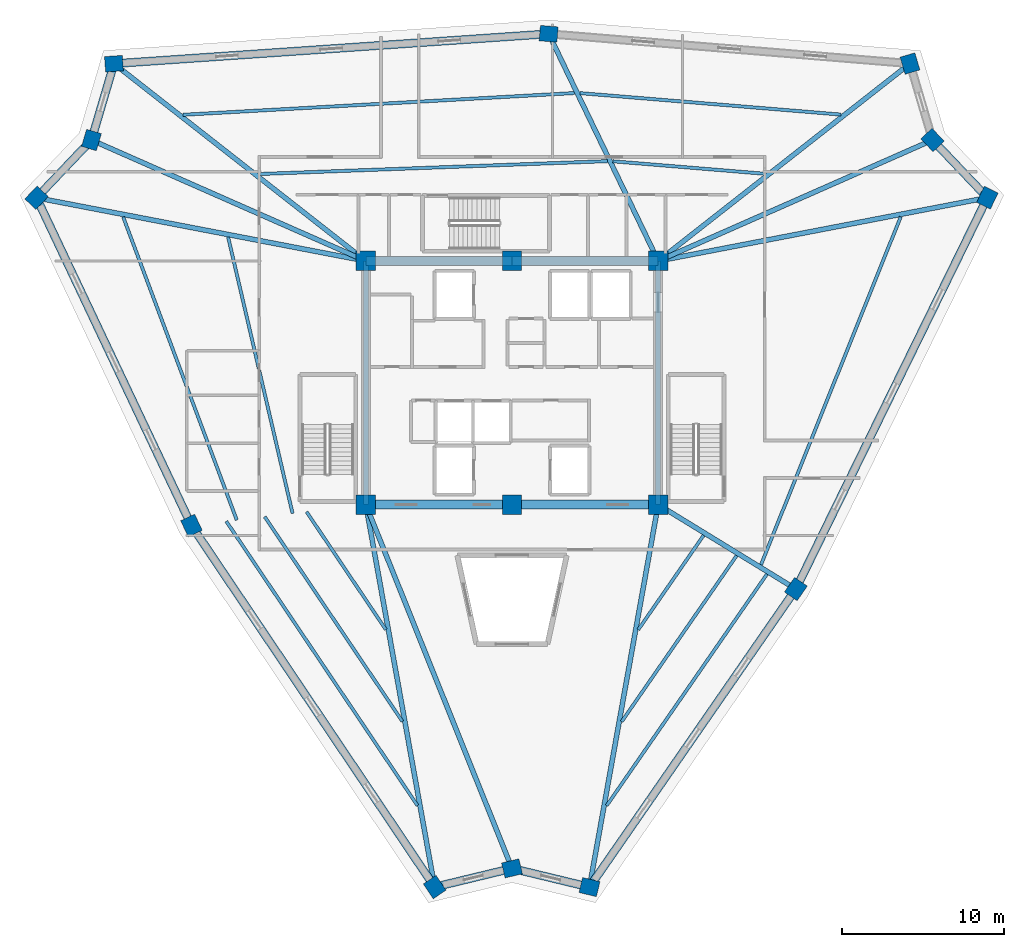
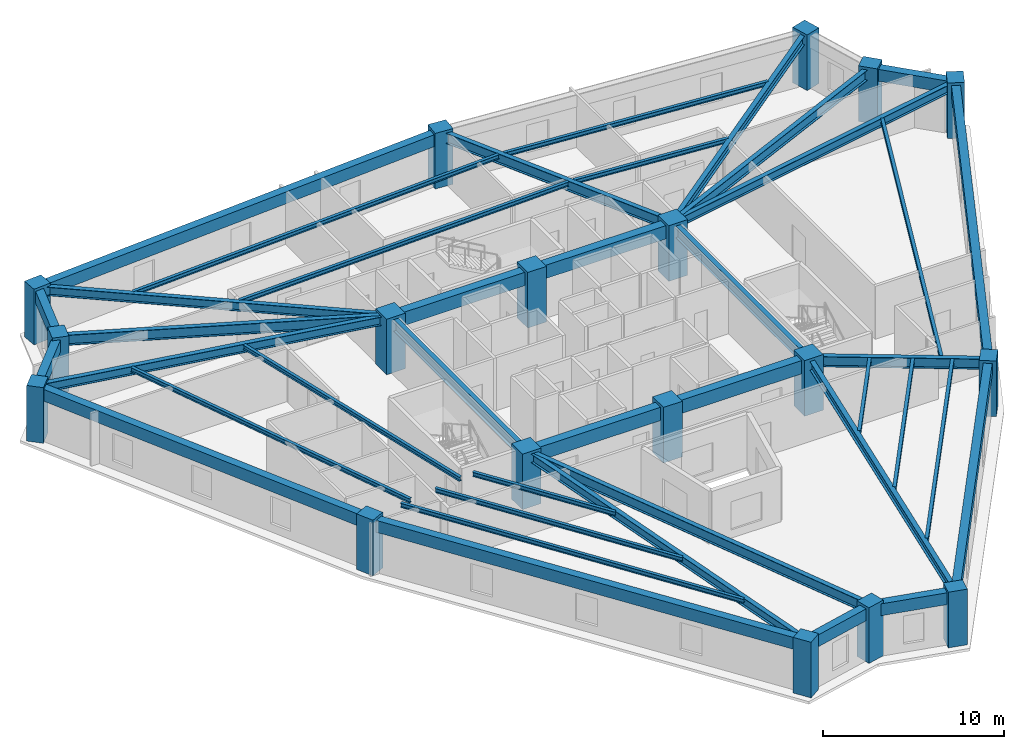
# One storey, part 1 of 8: 40 beams, 18 columns.
"""IFC4 building model written with IfcOpenShell, lengths in metres."""

import ifcopenshell
import ifcopenshell.guid

model = None  # the IFC model being written
_history = None  # IfcOwnerHistory: only IFC2X3 demands one
_inside = {}  # id of a spatial element -> (the spatial element, [elements in it])
_under = {}  # id of a project, library or spatial element -> (it, [spatial elements below it])
_declared = {}  # id of a project -> (the project, [libraries it declares])
_typed = {}  # id of a type object -> (the type object, [elements of that type])
_made_of = {}  # id of a material, layer set ... -> (it, [elements and type objects made of it])


def new_model(schema):
    """Start an empty IFC model of exactly this schema.

    Asked for "IFC4X3", IfcOpenShell would pick the latest addendum, in which some entities
    have other attributes; the version numbers below select the first issue.
    IFC2X3 requires an IfcOwnerHistory on every rooted entity: one is made here for all.
    """
    global model, _history
    if schema == "IFC4X3":
        model = ifcopenshell.file(schema_version=(4, 3, 0, 0))
    else:
        model = ifcopenshell.file(schema=schema)
    _inside.clear()
    _under.clear()
    _declared.clear()
    _typed.clear()
    _made_of.clear()
    _history = None
    if model.schema == "IFC2X3":
        org = make("IfcOrganization", Name="unknown")
        user = make(
            "IfcPersonAndOrganization",
            ThePerson=make("IfcPerson", FamilyName="unknown"),
            TheOrganization=org,
        )
        app = make(
            "IfcApplication",
            ApplicationDeveloper=org,
            Version="unknown",
            ApplicationFullName="unknown",
            ApplicationIdentifier="unknown",
        )
        _history = make(
            "IfcOwnerHistory",
            OwningUser=user,
            OwningApplication=app,
            ChangeAction="ADDED",
            CreationDate=0,
        )
    return model


def make(cls, **values):
    """One entity of the class cls with the attributes given. An attribute that is None is left unset."""
    return model.create_entity(
        cls, **{name: value for name, value in values.items() if value is not None}
    )


def rooted(cls, **values):
    """An entity with a GlobalId (a new one), such as an element, a storey or a relation."""
    return make(cls, GlobalId=ifcopenshell.guid.new(), OwnerHistory=_history, **values)


def si_unit(unit_type, name, prefix=None):
    """IfcSIUnit, for example si_unit("LENGTHUNIT", "METRE", prefix="MILLI")."""
    return make("IfcSIUnit", UnitType=unit_type, Prefix=prefix, Name=name)


def assignment(units):
    """IfcUnitAssignment: the units of a project."""
    return None if units is None else make("IfcUnitAssignment", Units=units)


def point(xyz):
    """IfcCartesianPoint."""
    return None if xyz is None else make("IfcCartesianPoint", Coordinates=xyz)


def direction(xyz):
    """IfcDirection."""
    return None if xyz is None else make("IfcDirection", DirectionRatios=xyz)


def frame(location, z_axis=None, x_axis=None):
    """IfcAxis2Placement3D, a coordinate frame: its origin and axes. An axis left out is left unset."""
    return make(
        "IfcAxis2Placement3D",
        Location=point(location),
        Axis=direction(z_axis),
        RefDirection=direction(x_axis),
    )


def frame_2d(location, x_axis=None):
    """IfcAxis2Placement2D, a coordinate frame in the plane: its origin and x axis."""
    return make(
        "IfcAxis2Placement2D", Location=point(location), RefDirection=direction(x_axis)
    )


def origin():
    """The frame at (0, 0, 0) with its axes left unset."""
    return frame((0.0, 0.0, 0.0))


def origin_2d():
    """The frame at (0, 0) in the plane with its x axis left unset."""
    return frame_2d((0.0, 0.0))


def place(relative_to, where):
    """IfcLocalPlacement: puts the frame where relative to a parent placement (None: the world)."""
    return make(
        "IfcLocalPlacement", PlacementRelTo=relative_to, RelativePlacement=where
    )


def context(
    kind, dimensions, precision=None, world=None, true_north=None, identifier=None
):
    """IfcGeometricRepresentationContext, for example the 3D "Model" context."""
    return make(
        "IfcGeometricRepresentationContext",
        ContextIdentifier=identifier,
        ContextType=kind,
        CoordinateSpaceDimension=dimensions,
        Precision=precision,
        WorldCoordinateSystem=world,
        TrueNorth=true_north,
    )


def subcontext(parent, identifier, kind, view, scale=None):
    """IfcGeometricRepresentationSubContext, for example "Body" below "Model"."""
    return make(
        "IfcGeometricRepresentationSubContext",
        ContextIdentifier=identifier,
        ContextType=kind,
        ParentContext=parent,
        TargetScale=scale,
        TargetView=view,
    )


def project(units=None, contexts=None):
    """IfcProject with its units and contexts."""
    return rooted(
        "IfcProject",
        Name="project",
        RepresentationContexts=contexts,
        UnitsInContext=assignment(units),
    )


def spatial(cls, under=None, at=None, **own):
    """A site, building, storey or space (cls), placed at a placement, below another one or the project."""
    s = rooted(cls, ObjectPlacement=at, **own)
    if under is not None:
        _under.setdefault(under.id(), (under, []))[1].append(s)
    return s


def profile(cls, at=None, kind="AREA", **sizes):
    """A parametric profile (cls). Its sizes go by their IFC names, for example OverallWidth=200.0."""
    return make(cls, ProfileType=kind, Position=at, **sizes)


def rectangle(**sizes):
    """IfcRectangleProfileDef."""
    return profile("IfcRectangleProfileDef", **sizes)


def i_section(**sizes):
    """IfcIShapeProfileDef."""
    return profile("IfcIShapeProfileDef", **sizes)


def extrude(swept, where, along, depth):
    """IfcExtrudedAreaSolid: the profile swept, set in the frame where, extruded along a direction by depth."""
    return make(
        "IfcExtrudedAreaSolid",
        SweptArea=swept,
        Position=where,
        ExtrudedDirection=direction(along),
        Depth=depth,
    )


def shape(context_of_items, identifier, shape_type, items):
    """IfcShapeRepresentation: the items that make up one representation, for example the "Body"."""
    return make(
        "IfcShapeRepresentation",
        ContextOfItems=context_of_items,
        RepresentationIdentifier=identifier,
        RepresentationType=shape_type,
        Items=items,
    )


def source(mapping_origin, context_of_items, identifier, shape_type, items):
    """IfcRepresentationMap: a shape defined once, which mapped items show again and again."""
    return make(
        "IfcRepresentationMap",
        MappingOrigin=mapping_origin,
        MappedRepresentation=shape(context_of_items, identifier, shape_type, items),
    )


def transform(
    local_origin,
    x_axis=None,
    y_axis=None,
    z_axis=None,
    scale=None,
    scale2=None,
    scale3=None,
    uniform=True,
):
    """IfcCartesianTransformationOperator3D, or its non-uniform kind. x_axis, y_axis, z_axis: its Axis1, 2, 3."""
    if uniform:
        return make(
            "IfcCartesianTransformationOperator3D",
            Axis1=direction(x_axis),
            Axis2=direction(y_axis),
            LocalOrigin=point(local_origin),
            Scale=scale,
            Axis3=direction(z_axis),
        )
    return make(
        "IfcCartesianTransformationOperator3DnonUniform",
        Axis1=direction(x_axis),
        Axis2=direction(y_axis),
        LocalOrigin=point(local_origin),
        Scale=scale,
        Axis3=direction(z_axis),
        Scale2=scale2,
        Scale3=scale3,
    )


def mapped(mapping_source, mapping_target):
    """IfcMappedItem: shows the shape of a source again, moved by a transform."""
    return make(
        "IfcMappedItem", MappingSource=mapping_source, MappingTarget=mapping_target
    )


def material(Name=None, Category=None):
    """IfcMaterial."""
    return make("IfcMaterial", Name=Name, Category=Category)


def material_profile(
    of_material, cross_section, Name=None, Category=None, Priority=None
):
    """IfcMaterialProfile: a cross section and its material."""
    return make(
        "IfcMaterialProfile",
        Name=Name,
        Material=of_material,
        Profile=cross_section,
        Priority=Priority,
        Category=Category,
    )


def profile_set(profiles, Name=None, composite=None):
    """IfcMaterialProfileSet."""
    return make(
        "IfcMaterialProfileSet",
        Name=Name,
        MaterialProfiles=profiles,
        CompositeProfile=composite,
    )


def made_of(thing, what):
    """Note that an element or type object is made of a material, layer set ...; save() writes the relation."""
    if what is not None:
        _made_of.setdefault(what.id(), (what, []))[1].append(thing)
    return thing


def type_object(cls, material=None, **own):
    """A type object (cls), such as IfcWallType, which elements share."""
    return made_of(rooted(cls, **own), material)


def element(
    cls,
    number,
    at=None,
    inside=None,
    cuts=None,
    type_object=None,
    material=None,
    context=None,
    identifier="Body",
    shape_type=None,
    held_by="IfcProductDefinitionShape",
    body=None,
    shapes=None,
    **own,
):
    """One element of the class cls, such as IfcWall. Its Tag is "e" and its number.

    at: its placement. inside: the storey or other place that contains it. cuts: it is an
    opening in that element (IfcRelVoidsElement). A single representation is given by context,
    identifier, shape_type and body (its items); several are given by shapes. held_by: the class
    of the entity that holds the representations. save() writes the other relations.
    """
    e = rooted(cls, Tag="e%d" % number, ObjectPlacement=at, **own)
    if body is not None:
        shapes = [shape(context, identifier, shape_type, body)]
    if shapes is not None:
        e.Representation = make(held_by, Representations=shapes)
    if inside is not None:
        _inside.setdefault(inside.id(), (inside, []))[1].append(e)
    if cuts is not None:
        rooted(
            "IfcRelVoidsElement", RelatingBuildingElement=cuts, RelatedOpeningElement=e
        )
    if type_object is not None:
        _typed.setdefault(type_object.id(), (type_object, []))[1].append(e)
    return made_of(e, material)


def aggregate(whole, parts):
    """IfcRelAggregates: a whole, such as a stair, and the parts it consists of."""
    return rooted("IfcRelAggregates", RelatingObject=whole, RelatedObjects=parts)


def save(model, path):
    """Write the relations noted so far, then the file.

    IfcRelAggregates (storeys below a building ...), IfcRelContainedInSpatialStructure (elements
    in a storey), IfcRelDefinesByType, IfcRelAssociatesMaterial and IfcRelDeclares: one each for
    every whole, place, type object, material and project.
    """
    for whole, parts in _under.values():
        aggregate(whole, parts)
    for where, things in _inside.values():
        rooted(
            "IfcRelContainedInSpatialStructure",
            RelatedElements=things,
            RelatingStructure=where,
        )
    for kind, things in _typed.values():
        rooted("IfcRelDefinesByType", RelatedObjects=things, RelatingType=kind)
    for what, things in _made_of.values():
        rooted("IfcRelAssociatesMaterial", RelatedObjects=things, RelatingMaterial=what)
    for by, libraries in _declared.values():
        rooted("IfcRelDeclares", RelatingContext=by, RelatedDefinitions=libraries)
    model.write(path)


model = new_model("IFC4")

# Units and contexts
model_context = context("Model", 3, precision=1e-05, world=origin(), true_north=direction((0.0, 1.0)))
body_context = subcontext(model_context, "Body", "Model", "MODEL_VIEW")
ifc_project = project(units=[si_unit("LENGTHUNIT", "METRE"), si_unit("AREAUNIT", "SQUARE_METRE"), si_unit("VOLUMEUNIT", "CUBIC_METRE"), si_unit("PLANEANGLEUNIT", "RADIAN"), si_unit("MASSUNIT", "GRAM", prefix="KILO")], contexts=[model_context])

# Site, building, storey
site_placement = place(None, origin())
site = spatial("IfcSite", under=ifc_project, at=site_placement, CompositionType="ELEMENT")
building_placement = place(site_placement, origin())
building = spatial("IfcBuilding", under=site, at=building_placement, Name="Liaohun Quay Tower", CompositionType="ELEMENT")
storey_placement = place(building_placement, frame((0.0, 0.0, 332.25)))
storey = spatial("IfcBuildingStorey", under=building, at=storey_placement, Name="L86", CompositionType="ELEMENT", Elevation=332.25)

# Columns
ifc_material_1 = material(Name="Concrete C50", Category="concrete")
ifc_material_profile_1 = material_profile(ifc_material_1, rectangle(XDim=1.199951171875, YDim=1.199951171875, at=origin_2d()), Name="RC1200x1200")
ifc_profile_set_1 = profile_set([ifc_material_profile_1], Name="Concrete C50")
column_type_1 = type_object("IfcColumnType", Name="COL-CC-Z4", PredefinedType="COLUMN", material=ifc_profile_set_1)
shared_shape_1 = source(origin(), body_context, "Body", "SweptSolid", [
    extrude(rectangle(XDim=1.199951171875, YDim=1.199951171875, at=origin_2d()), origin(), (0.0, 0.0, 1.0), 3.75),
])
for number, where, z_axis, x_axis, name in (
    (1, (51.0, 46.5, 0.0), (0.0, 0.0, 1.0), (1.0, 0.0, 0.0), "L86 Core Column CC1"),
    (2, (60.0, 46.5, 0.0), (0.0, 0.0, 1.0), (1.0, 0.0, 0.0), "L86 Core Column CC2"),
    (3, (69.0, 46.5, 0.0), (0.0, 0.0, 1.0), (1.0, 0.0, 0.0), "L86 Core Column CC3"),
    (4, (69.0, 61.5, 0.0), (0.0, 0.0, 1.0), (1.0, 0.0, 0.0), "L86 Core Column CC4"),
    (5, (60.0, 61.5, 0.0), (0.0, 0.0, 1.0), (1.0, 0.0, 0.0), "L86 Core Column CC5"),
    (6, (51.0, 61.5, 0.0), (0.0, 0.0, 1.0), (1.0, 0.0, 0.0), "L86 Core Column CC6"),
):
    element("IfcColumn", number, at=place(storey_placement, frame(where, z_axis=z_axis, x_axis=x_axis)), inside=storey, type_object=column_type_1, Name=name, PredefinedType="COLUMN", context=body_context, shape_type="MappedRepresentation", body=[
        mapped(shared_shape_1, transform((0.0, 0.0, 0.0), x_axis=(1.0, 0.0, 0.0), y_axis=(0.0, 1.0, 0.0), z_axis=(0.0, 0.0, 1.0), scale=1.0)),
    ])
ifc_material_profile_2 = material_profile(ifc_material_1, rectangle(XDim=1.10009765625, YDim=0.949951171875, at=origin_2d()), Name="RC1100x950")
ifc_profile_set_2 = profile_set([ifc_material_profile_2], Name="Concrete C50")
column_type_2 = type_object("IfcColumnType", Name="COL-PIER-Z4", PredefinedType="COLUMN", material=ifc_profile_set_2)
shared_shape_2 = source(origin(), body_context, "Body", "SweptSolid", [
    extrude(rectangle(XDim=1.10009765625, YDim=0.949951171875, at=origin_2d()), origin(), (0.0, 0.0, 1.0), 3.75),
])
for number, where, z_axis, x_axis, name in (
    (7, (55.238037109375, 22.9541015625, 0.0), (0.0, 0.0, 1.0), (-0.558179625922, 0.829720136676, 0.0), "L86 Perimeter Pier PC01"),
    (8, (40.264892578125, 45.212890625, 0.0), (0.0, 0.0, 1.0), (-0.427357863387, 0.904082549661, 0.0), "L86 Perimeter Pier PC02"),
    (9, (30.72705078125, 65.39306640625, 0.0), (0.0, 0.0, 1.0), (0.68936671806, 0.724412539946, 0.0), "L86 Perimeter Pier PC03"),
    (10, (34.10888671875, 68.947998046875, 0.0), (0.0, 0.0, 1.0), (0.282676303383, 0.959215360337, 0.0), "L86 Perimeter Pier PC04"),
    (11, (35.493896484375, 73.64697265625, 0.0), (0.0, 0.0, 1.0), (0.997648529354, 0.068537667585, 0.0), "L86 Perimeter Pier PC05"),
    (12, (62.258056640625, 75.485107421875, 0.0), (0.0, 0.0, 1.0), (-0.996637386818, 0.08193850863, 0.0), "L86 Perimeter Pier PC06"),
    (13, (84.5029296875, 73.655029296875, 0.0), (0.0, 0.0, 1.0), (-0.282676303383, 0.959215360337, 0.0), "L86 Perimeter Pier PC07"),
    (14, (85.89111328125, 68.947998046875, 0.0), (0.0, 0.0, 1.0), (-0.68936671806, 0.724412539946, 0.0), "L86 Perimeter Pier PC08"),
    (15, (89.26806640625, 65.39892578125, 0.0), (0.0, 0.0, 1.0), (0.439468903432, 0.898257804261, 0.0), "L86 Perimeter Pier PC09"),
    (16, (77.47705078125, 41.302001953125, 0.0), (0.0, 0.0, 1.0), (0.569279523431, 0.822144041031, 0.0), "L86 Perimeter Pier PC10"),
    (17, (64.77001953125, 22.951904296875, 0.0), (0.0, 0.0, 1.0), (-0.972043021443, 0.234802820391, 0.0), "L86 Perimeter Pier PC11"),
    (18, (60.0, 24.10400390625, 0.0), (0.0, 0.0, 1.0), (0.972043021443, 0.234802820391, 0.0), "L86 Perimeter Pier PC12"),
):
    element("IfcColumn", number, at=place(storey_placement, frame(where, z_axis=z_axis, x_axis=x_axis)), inside=storey, type_object=column_type_2, Name=name, PredefinedType="COLUMN", context=body_context, shape_type="MappedRepresentation", body=[
        mapped(shared_shape_2, transform((0.0, 0.0, 0.0), x_axis=(1.0, 0.0, 0.0), y_axis=(0.0, 1.0, 0.0), z_axis=(0.0, 0.0, 1.0), scale=1.0)),
    ])

# Beams
ifc_material_2 = material(Name="Steel Q355D", Category="steel")
ifc_material_profile_3 = material_profile(ifc_material_2, i_section(OverallWidth=0.300048828125, OverallDepth=0.800048828125, WebThickness=0.013916015625, FlangeThickness=0.02587890625, at=origin_2d()), Name="HN800x300x14x26")
ifc_profile_set_3 = profile_set([ifc_material_profile_3], Name="Steel Q355D")
beam_type_1 = type_object("IfcBeamType", Name="BM-RAD-M1", PredefinedType="BEAM", material=ifc_profile_set_3)
shared_shape_3 = source(origin(), body_context, "Body", "SweptSolid", [
    extrude(i_section(OverallWidth=0.300048828125, OverallDepth=0.800048828125, WebThickness=0.013916015625, FlangeThickness=0.02587890625, at=origin_2d()), origin(), (0.0, 0.0, 1.0), 15.0),
])
for number, where, z_axis, x_axis, name in (
    (19, (69.0, 46.5, 3.169921875), (0.0, 1.0, 0.0), (-1.0, 0.0, 0.0), "L86 Core Coupling/Ring Beam CC3-CC4"),
    (20, (51.0, 61.5, 3.169921875), (0.0, -1.0, 0.0), (1.0, 0.0, 0.0), "L86 Core Coupling/Ring Beam CC6-CC1"),
):
    element("IfcBeam", number, at=place(storey_placement, frame(where, z_axis=z_axis, x_axis=x_axis)), inside=storey, type_object=beam_type_1, Name=name, PredefinedType="BEAM", context=body_context, shape_type="MappedRepresentation", body=[
        mapped(shared_shape_3, transform((0.0, 0.0, 0.0), x_axis=(1.0, 0.0, 0.0), y_axis=(0.0, 1.0, 0.0), z_axis=(0.0, 0.0, 1.0), scale=1.0)),
    ])
ifc_material_3 = material(Name="Concrete C55", Category="concrete")
ifc_material_profile_4 = material_profile(ifc_material_3, rectangle(XDim=0.550048828125, YDim=0.89990234375, at=origin_2d()), Name="RC550x900")
ifc_profile_set_4 = profile_set([ifc_material_profile_4], Name="Concrete C55")
beam_type_2 = type_object("IfcBeamType", Name="BM-CPL-2", PredefinedType="LINTEL", material=ifc_profile_set_4)
shared_shape_4 = source(origin(), body_context, "Body", "SweptSolid", [
    extrude(rectangle(XDim=0.550048828125, YDim=0.89990234375, at=origin_2d()), origin(), (0.0, 0.0, 1.0), 9.0),
])
for number, where, z_axis, x_axis, name in (
    (21, (51.0, 46.5, 3.1201171875), (1.0, 0.0, 0.0), (0.0, 1.0, 0.0), "L86 Core Coupling/Ring Beam CC1-CC2"),
    (22, (60.0, 46.5, 3.1201171875), (1.0, 0.0, 0.0), (0.0, 1.0, 0.0), "L86 Core Coupling/Ring Beam CC2-CC3"),
    (23, (69.0, 61.5, 3.1201171875), (-1.0, 0.0, 0.0), (0.0, -1.0, 0.0), "L86 Core Coupling/Ring Beam CC4-CC5"),
    (24, (60.0, 61.5, 3.1201171875), (-1.0, 0.0, 0.0), (0.0, -1.0, 0.0), "L86 Core Coupling/Ring Beam CC5-CC6"),
):
    element("IfcBeam", number, at=place(storey_placement, frame(where, z_axis=z_axis, x_axis=x_axis)), inside=storey, type_object=beam_type_2, Name=name, PredefinedType="LINTEL", context=body_context, shape_type="MappedRepresentation", body=[
        mapped(shared_shape_4, transform((0.0, 0.0, 0.0), x_axis=(1.0, 0.0, 0.0), y_axis=(0.0, 1.0, 0.0), z_axis=(0.0, 0.0, 1.0), scale=1.0)),
    ])
ifc_material_profile_5 = material_profile(ifc_material_2, i_section(OverallWidth=0.300048828125, OverallDepth=0.587890625, WebThickness=0.011962890625, FlangeThickness=0.02001953125, at=origin_2d()), Name="HM588x300x12x20")
ifc_profile_set_5 = profile_set([ifc_material_profile_5], Name="Steel Q355D")
beam_type_3 = type_object("IfcBeamType", Name="BM-RAD-U2", PredefinedType="BEAM", material=ifc_profile_set_5)
shared_shape_5 = source(origin(), body_context, "Body", "SweptSolid", [
    extrude(i_section(OverallWidth=0.300048828125, OverallDepth=0.587890625, WebThickness=0.011962890625, FlangeThickness=0.02001953125, at=origin_2d()), origin(), (0.0, 0.0, 1.0), 23.92431640625),
])
beam_1_placement = place(storey_placement, frame((51.0, 46.5, 3.27587890625), z_axis=(0.177143904593, -0.9841849608, 0.0), x_axis=(0.9841849608, 0.177143904593, 0.0)))
element("IfcBeam", 25, at=beam_1_placement, inside=storey, type_object=beam_type_3, Name="L86 Radial Primary Girder CC1-PC01", PredefinedType="BEAM", context=body_context, shape_type="MappedRepresentation", body=[
    mapped(shared_shape_5, transform((0.0, 0.0, 0.0), x_axis=(1.0, 0.0, 0.0), y_axis=(0.0, 1.0, 0.0), z_axis=(0.0, 0.0, 1.0), scale=1.0)),
])
shared_shape_6 = source(origin(), body_context, "Body", "SweptSolid", [
    extrude(i_section(OverallWidth=0.300048828125, OverallDepth=0.587890625, WebThickness=0.011962890625, FlangeThickness=0.02001953125, at=origin_2d()), origin(), (0.0, 0.0, 1.0), 20.643310546875),
])
beam_2_placement = place(storey_placement, frame((51.0, 61.5, 3.27587890625), z_axis=(-0.982056519371, 0.188586830823, 0.0), x_axis=(-0.188586830823, -0.982056519371, 0.0)))
element("IfcBeam", 26, at=beam_2_placement, inside=storey, type_object=beam_type_3, Name="L86 Radial Primary Girder CC6-PC03", PredefinedType="BEAM", context=body_context, shape_type="MappedRepresentation", body=[
    mapped(shared_shape_6, transform((0.0, 0.0, 0.0), x_axis=(1.0, 0.0, 0.0), y_axis=(0.0, 1.0, 0.0), z_axis=(0.0, 0.0, 1.0), scale=1.0)),
])
ifc_material_profile_6 = material_profile(ifc_material_2, i_section(OverallWidth=0.300048828125, OverallDepth=0.699951171875, WebThickness=0.012939453125, FlangeThickness=0.02392578125, at=origin_2d()), Name="HN700x300x13x24")
ifc_profile_set_6 = profile_set([ifc_material_profile_6], Name="Steel Q355D")
beam_type_4 = type_object("IfcBeamType", Name="BM-RAD-U1", PredefinedType="BEAM", material=ifc_profile_set_6)
shared_shape_7 = source(origin(), body_context, "Body", "SweptSolid", [
    extrude(i_section(OverallWidth=0.300048828125, OverallDepth=0.699951171875, WebThickness=0.012939453125, FlangeThickness=0.02392578125, at=origin_2d()), origin(), (0.0, 0.0, 1.0), 18.460205078125),
])
for number, where, z_axis, x_axis, name in (
    (27, (51.0, 61.5, 3.219970703125), (-0.91499707752, 0.403460466625, 0.0), (-0.403460466625, -0.91499707752, 0.0), "L86 Radial Primary Girder CC6-PC04"),
    (28, (69.0, 61.5, 3.219970703125), (0.91499707752, 0.403460466625, 0.0), (-0.403460466625, 0.91499707752, 0.0), "L86 Radial Primary Girder CC4-PC08"),
):
    element("IfcBeam", number, at=place(storey_placement, frame(where, z_axis=z_axis, x_axis=x_axis)), inside=storey, type_object=beam_type_4, Name=name, PredefinedType="BEAM", context=body_context, shape_type="MappedRepresentation", body=[
        mapped(shared_shape_7, transform((0.0, 0.0, 0.0), x_axis=(1.0, 0.0, 0.0), y_axis=(0.0, 1.0, 0.0), z_axis=(0.0, 0.0, 1.0), scale=1.0)),
    ])
shared_shape_8 = source(origin(), body_context, "Body", "SweptSolid", [
    extrude(i_section(OverallWidth=0.300048828125, OverallDepth=0.587890625, WebThickness=0.011962890625, FlangeThickness=0.02001953125, at=origin_2d()), origin(), (0.0, 0.0, 1.0), 19.697509765625),
])
beam_3_placement = place(storey_placement, frame((51.0, 61.5, 3.27587890625), z_axis=(-0.78721511685, 0.616678489817, 0.0), x_axis=(-0.616678489817, -0.78721511685, 0.0)))
element("IfcBeam", 29, at=beam_3_placement, inside=storey, type_object=beam_type_3, Name="L86 Radial Primary Girder CC6-PC05", PredefinedType="BEAM", context=body_context, shape_type="MappedRepresentation", body=[
    mapped(shared_shape_8, transform((0.0, 0.0, 0.0), x_axis=(1.0, 0.0, 0.0), y_axis=(0.0, 1.0, 0.0), z_axis=(0.0, 0.0, 1.0), scale=1.0)),
])
shared_shape_9 = source(origin(), body_context, "Body", "SweptSolid", [
    extrude(i_section(OverallWidth=0.300048828125, OverallDepth=0.699951171875, WebThickness=0.012939453125, FlangeThickness=0.02392578125, at=origin_2d()), origin(), (0.0, 0.0, 1.0), 15.525390625),
])
beam_4_placement = place(storey_placement, frame((69.0, 61.5, 3.219970703125), z_axis=(-0.43425338855, 0.900790760684, 0.0), x_axis=(-0.900790760684, -0.43425338855, 0.0)))
element("IfcBeam", 30, at=beam_4_placement, inside=storey, type_object=beam_type_4, Name="L86 Radial Primary Girder CC4-PC06", PredefinedType="BEAM", context=body_context, shape_type="MappedRepresentation", body=[
    mapped(shared_shape_9, transform((0.0, 0.0, 0.0), x_axis=(1.0, 0.0, 0.0), y_axis=(0.0, 1.0, 0.0), z_axis=(0.0, 0.0, 1.0), scale=1.0)),
])
shared_shape_10 = source(origin(), body_context, "Body", "SweptSolid", [
    extrude(i_section(OverallWidth=0.300048828125, OverallDepth=0.587890625, WebThickness=0.011962890625, FlangeThickness=0.02001953125, at=origin_2d()), origin(), (0.0, 0.0, 1.0), 19.699951171875),
])
beam_5_placement = place(storey_placement, frame((69.0, 61.5, 3.27587890625), z_axis=(0.786955241021, 0.617010087948, 0.0), x_axis=(-0.617010087948, 0.786955241021, 0.0)))
element("IfcBeam", 31, at=beam_5_placement, inside=storey, type_object=beam_type_3, Name="L86 Radial Primary Girder CC4-PC07", PredefinedType="BEAM", context=body_context, shape_type="MappedRepresentation", body=[
    mapped(shared_shape_10, transform((0.0, 0.0, 0.0), x_axis=(1.0, 0.0, 0.0), y_axis=(0.0, 1.0, 0.0), z_axis=(0.0, 0.0, 1.0), scale=1.0)),
])
shared_shape_11 = source(origin(), body_context, "Body", "SweptSolid", [
    extrude(i_section(OverallWidth=0.300048828125, OverallDepth=0.587890625, WebThickness=0.011962890625, FlangeThickness=0.02001953125, at=origin_2d()), origin(), (0.0, 0.0, 1.0), 20.6396484375),
])
beam_6_placement = place(storey_placement, frame((69.0, 61.5, 3.27587890625), z_axis=(0.981995477195, 0.188904427604, 0.0), x_axis=(-0.188904427604, 0.981995477195, 0.0)))
element("IfcBeam", 32, at=beam_6_placement, inside=storey, type_object=beam_type_3, Name="L86 Radial Primary Girder CC4-PC09", PredefinedType="BEAM", context=body_context, shape_type="MappedRepresentation", body=[
    mapped(shared_shape_11, transform((0.0, 0.0, 0.0), x_axis=(1.0, 0.0, 0.0), y_axis=(0.0, 1.0, 0.0), z_axis=(0.0, 0.0, 1.0), scale=1.0)),
])
shared_shape_12 = source(origin(), body_context, "Body", "SweptSolid", [
    extrude(i_section(OverallWidth=0.300048828125, OverallDepth=0.699951171875, WebThickness=0.012939453125, FlangeThickness=0.02392578125, at=origin_2d()), origin(), (0.0, 0.0, 1.0), 9.94384765625),
])
beam_7_placement = place(storey_placement, frame((69.0, 46.5, 3.219970703125), z_axis=(0.852494316391, -0.522736492433, 0.0), x_axis=(0.522736492433, 0.852494316391, 0.0)))
element("IfcBeam", 33, at=beam_7_placement, inside=storey, type_object=beam_type_4, Name="L86 Radial Primary Girder CC3-PC10", PredefinedType="BEAM", context=body_context, shape_type="MappedRepresentation", body=[
    mapped(shared_shape_12, transform((0.0, 0.0, 0.0), x_axis=(1.0, 0.0, 0.0), y_axis=(0.0, 1.0, 0.0), z_axis=(0.0, 0.0, 1.0), scale=1.0)),
])
shared_shape_13 = source(origin(), body_context, "Body", "SweptSolid", [
    extrude(i_section(OverallWidth=0.300048828125, OverallDepth=0.587890625, WebThickness=0.011962890625, FlangeThickness=0.02001953125, at=origin_2d()), origin(), (0.0, 0.0, 1.0), 23.925048828125),
])
beam_8_placement = place(storey_placement, frame((69.0, 46.5, 3.27587890625), z_axis=(-0.176801703683, -0.984246492285, 0.0), x_axis=(0.984246492285, -0.176801703683, 0.0)))
element("IfcBeam", 34, at=beam_8_placement, inside=storey, type_object=beam_type_3, Name="L86 Radial Primary Girder CC3-PC11", PredefinedType="BEAM", context=body_context, shape_type="MappedRepresentation", body=[
    mapped(shared_shape_13, transform((0.0, 0.0, 0.0), x_axis=(1.0, 0.0, 0.0), y_axis=(0.0, 1.0, 0.0), z_axis=(0.0, 0.0, 1.0), scale=1.0)),
])
shared_shape_14 = source(origin(), body_context, "Body", "SweptSolid", [
    extrude(i_section(OverallWidth=0.300048828125, OverallDepth=0.699951171875, WebThickness=0.012939453125, FlangeThickness=0.02392578125, at=origin_2d()), origin(), (0.0, 0.0, 1.0), 24.13671875),
])
beam_9_placement = place(storey_placement, frame((51.0, 46.5, 3.219970703125), z_axis=(0.372876046209, -0.927881163816, 0.0), x_axis=(0.927881163816, 0.372876046209, 0.0)))
element("IfcBeam", 35, at=beam_9_placement, inside=storey, type_object=beam_type_4, Name="L86 Radial Primary Girder CC1-PC12", PredefinedType="BEAM", context=body_context, shape_type="MappedRepresentation", body=[
    mapped(shared_shape_14, transform((0.0, 0.0, 0.0), x_axis=(1.0, 0.0, 0.0), y_axis=(0.0, 1.0, 0.0), z_axis=(0.0, 0.0, 1.0), scale=1.0)),
])
ifc_material_profile_7 = material_profile(ifc_material_2, i_section(OverallWidth=0.199951171875, OverallDepth=0.2939453125, WebThickness=0.008056640625, FlangeThickness=0.011962890625, at=origin_2d()), Name="HM294x200x8x12")
ifc_profile_set_7 = profile_set([ifc_material_profile_7], Name="Steel Q355D")
beam_type_5 = type_object("IfcBeamType", Name="BM-SEC-J4", PredefinedType="JOIST", material=ifc_profile_set_7)
shared_shape_15 = source(origin(), body_context, "Body", "SweptSolid", [
    extrude(i_section(OverallWidth=0.199951171875, OverallDepth=0.2939453125, WebThickness=0.008056640625, FlangeThickness=0.011962890625, at=origin_2d()), origin(), (0.0, 0.0, 1.0), 8.74755859375),
])
beam_10_placement = place(storey_placement, frame((52.23291015625, 38.803955078125, 3.423095703125), z_axis=(-0.558186124533, 0.829715764813, 0.0), x_axis=(-0.829715764813, -0.558186124533, 0.0)))
element("IfcBeam", 36, at=beam_10_placement, inside=storey, type_object=beam_type_5, Name="L86 Wing Secondary Floor Joist SJ-01", PredefinedType="JOIST", context=body_context, shape_type="MappedRepresentation", body=[
    mapped(shared_shape_15, transform((0.0, 0.0, 0.0), x_axis=(1.0, 0.0, 0.0), y_axis=(0.0, 1.0, 0.0), z_axis=(0.0, 0.0, 1.0), scale=1.0)),
])
shared_shape_16 = source(origin(), body_context, "Body", "SweptSolid", [
    extrude(i_section(OverallWidth=0.199951171875, OverallDepth=0.2939453125, WebThickness=0.008056640625, FlangeThickness=0.011962890625, at=origin_2d()), origin(), (0.0, 0.0, 1.0), 15.186279296875),
])
beam_11_placement = place(storey_placement, frame((53.25, 33.153076171875, 3.423095703125), z_axis=(-0.558138257053, 0.829747965357, 0.0), x_axis=(-0.829747965357, -0.558138257053, 0.0)))
element("IfcBeam", 37, at=beam_11_placement, inside=storey, type_object=beam_type_5, Name="L86 Wing Secondary Floor Joist SJ-02", PredefinedType="JOIST", context=body_context, shape_type="MappedRepresentation", body=[
    mapped(shared_shape_16, transform((0.0, 0.0, 0.0), x_axis=(1.0, 0.0, 0.0), y_axis=(0.0, 1.0, 0.0), z_axis=(0.0, 0.0, 1.0), scale=1.0)),
])
shared_shape_17 = source(origin(), body_context, "Body", "SweptSolid", [
    extrude(i_section(OverallWidth=0.199951171875, OverallDepth=0.2939453125, WebThickness=0.008056640625, FlangeThickness=0.011962890625, at=origin_2d()), origin(), (0.0, 0.0, 1.0), 21.08740234375),
])
beam_12_placement = place(storey_placement, frame((54.181884765625, 27.972900390625, 3.423095703125), z_axis=(-0.558144665099, 0.829743654885, 0.0), x_axis=(-0.829743654885, -0.558144665099, 0.0)))
element("IfcBeam", 38, at=beam_12_placement, inside=storey, type_object=beam_type_5, Name="L86 Wing Secondary Floor Joist SJ-03", PredefinedType="JOIST", context=body_context, shape_type="MappedRepresentation", body=[
    mapped(shared_shape_17, transform((0.0, 0.0, 0.0), x_axis=(1.0, 0.0, 0.0), y_axis=(0.0, 1.0, 0.0), z_axis=(0.0, 0.0, 1.0), scale=1.0)),
])
shared_shape_18 = source(origin(), body_context, "Body", "SweptSolid", [
    extrude(i_section(OverallWidth=0.199951171875, OverallDepth=0.2939453125, WebThickness=0.008056640625, FlangeThickness=0.011962890625, at=origin_2d()), origin(), (0.0, 0.0, 1.0), 17.47265625),
])
beam_13_placement = place(storey_placement, frame((46.490966796875, 45.958984375, 3.423095703125), z_axis=(-0.227098867626, 0.973871708349, 0.0), x_axis=(-0.973871708349, -0.227098867626, 0.0)))
element("IfcBeam", 39, at=beam_13_placement, inside=storey, type_object=beam_type_5, Name="L86 Wing Secondary Floor Joist SJ-04", PredefinedType="JOIST", context=body_context, shape_type="MappedRepresentation", body=[
    mapped(shared_shape_18, transform((0.0, 0.0, 0.0), x_axis=(1.0, 0.0, 0.0), y_axis=(0.0, 1.0, 0.0), z_axis=(0.0, 0.0, 1.0), scale=1.0)),
])
shared_shape_19 = source(origin(), body_context, "Body", "SweptSolid", [
    extrude(i_section(OverallWidth=0.199951171875, OverallDepth=0.2939453125, WebThickness=0.008056640625, FlangeThickness=0.011962890625, at=origin_2d()), origin(), (0.0, 0.0, 1.0), 19.935791015625),
])
beam_14_placement = place(storey_placement, frame((43.055908203125, 45.548095703125, 3.423095703125), z_axis=(-0.350919439098, 0.936405653156, 0.0), x_axis=(-0.936405653156, -0.350919439098, 0.0)))
element("IfcBeam", 40, at=beam_14_placement, inside=storey, type_object=beam_type_5, Name="L86 Wing Secondary Floor Joist SJ-05", PredefinedType="JOIST", context=body_context, shape_type="MappedRepresentation", body=[
    mapped(shared_shape_19, transform((0.0, 0.0, 0.0), x_axis=(1.0, 0.0, 0.0), y_axis=(0.0, 1.0, 0.0), z_axis=(0.0, 0.0, 1.0), scale=1.0)),
])
shared_shape_20 = source(origin(), body_context, "Body", "SweptSolid", [
    extrude(i_section(OverallWidth=0.199951171875, OverallDepth=0.2939453125, WebThickness=0.008056640625, FlangeThickness=0.011962890625, at=origin_2d()), origin(), (0.0, 0.0, 1.0), 21.474853515625),
])
beam_15_placement = place(storey_placement, frame((44.409912109375, 66.85302734375, 3.423095703125), z_axis=(0.999316343564, 0.036970873474, 0.0), x_axis=(-0.036970873474, 0.999316343564, 0.0)))
element("IfcBeam", 41, at=beam_15_placement, inside=storey, type_object=beam_type_5, Name="L86 Wing Secondary Floor Joist SJ-06", PredefinedType="JOIST", context=body_context, shape_type="MappedRepresentation", body=[
    mapped(shared_shape_20, transform((0.0, 0.0, 0.0), x_axis=(1.0, 0.0, 0.0), y_axis=(0.0, 1.0, 0.0), z_axis=(0.0, 0.0, 1.0), scale=1.0)),
])
shared_shape_21 = source(origin(), body_context, "Body", "SweptSolid", [
    extrude(i_section(OverallWidth=0.199951171875, OverallDepth=0.2939453125, WebThickness=0.008056640625, FlangeThickness=0.011962890625, at=origin_2d()), origin(), (0.0, 0.0, 1.0), 24.13330078125),
])
beam_16_placement = place(storey_placement, frame((39.7529296875, 70.5009765625, 3.423095703125), z_axis=(0.998459356977, 0.055487948824, 0.0), x_axis=(-0.055487948824, 0.998459356977, 0.0)))
element("IfcBeam", 42, at=beam_16_placement, inside=storey, type_object=beam_type_5, Name="L86 Wing Secondary Floor Joist SJ-07", PredefinedType="JOIST", context=body_context, shape_type="MappedRepresentation", body=[
    mapped(shared_shape_21, transform((0.0, 0.0, 0.0), x_axis=(1.0, 0.0, 0.0), y_axis=(0.0, 1.0, 0.0), z_axis=(0.0, 0.0, 1.0), scale=1.0)),
])
shared_shape_22 = source(origin(), body_context, "Body", "SweptSolid", [
    extrude(i_section(OverallWidth=0.199951171875, OverallDepth=0.2939453125, WebThickness=0.008056640625, FlangeThickness=0.011962890625, at=origin_2d()), origin(), (0.0, 0.0, 1.0), 9.42578125),
])
beam_17_placement = place(storey_placement, frame((66.20703125, 67.638916015625, 3.423095703125), z_axis=(0.996632027891, -0.08200366444, 0.0), x_axis=(0.08200366444, 0.996632027891, 0.0)))
element("IfcBeam", 43, at=beam_17_placement, inside=storey, type_object=beam_type_5, Name="L86 Wing Secondary Floor Joist SJ-08", PredefinedType="JOIST", context=body_context, shape_type="MappedRepresentation", body=[
    mapped(shared_shape_22, transform((0.0, 0.0, 0.0), x_axis=(1.0, 0.0, 0.0), y_axis=(0.0, 1.0, 0.0), z_axis=(0.0, 0.0, 1.0), scale=1.0)),
])
shared_shape_23 = source(origin(), body_context, "Body", "SweptSolid", [
    extrude(i_section(OverallWidth=0.199951171875, OverallDepth=0.2939453125, WebThickness=0.008056640625, FlangeThickness=0.011962890625, at=origin_2d()), origin(), (0.0, 0.0, 1.0), 16.1220703125),
])
beam_18_placement = place(storey_placement, frame((64.18408203125, 71.8349609375, 3.423095703125), z_axis=(0.99663230945, -0.082000242436, 0.0), x_axis=(0.082000242436, 0.99663230945, 0.0)))
element("IfcBeam", 44, at=beam_18_placement, inside=storey, type_object=beam_type_5, Name="L86 Wing Secondary Floor Joist SJ-09", PredefinedType="JOIST", context=body_context, shape_type="MappedRepresentation", body=[
    mapped(shared_shape_23, transform((0.0, 0.0, 0.0), x_axis=(1.0, 0.0, 0.0), y_axis=(0.0, 1.0, 0.0), z_axis=(0.0, 0.0, 1.0), scale=1.0)),
])
shared_shape_24 = source(origin(), body_context, "Body", "SweptSolid", [
    extrude(i_section(OverallWidth=0.199951171875, OverallDepth=0.2939453125, WebThickness=0.008056640625, FlangeThickness=0.011962890625, at=origin_2d()), origin(), (0.0, 0.0, 1.0), 23.08740234375),
])
beam_19_placement = place(storey_placement, frame((83.931884765625, 64.219970703125, 3.423095703125), z_axis=(-0.372577288252, -0.928001166098, 0.0), x_axis=(0.928001166098, -0.372577288252, 0.0)))
element("IfcBeam", 45, at=beam_19_placement, inside=storey, type_object=beam_type_5, Name="L86 Wing Secondary Floor Joist SJ-11", PredefinedType="JOIST", context=body_context, shape_type="MappedRepresentation", body=[
    mapped(shared_shape_24, transform((0.0, 0.0, 0.0), x_axis=(1.0, 0.0, 0.0), y_axis=(0.0, 1.0, 0.0), z_axis=(0.0, 0.0, 1.0), scale=1.0)),
])
shared_shape_25 = source(origin(), body_context, "Body", "SweptSolid", [
    extrude(i_section(OverallWidth=0.199951171875, OverallDepth=0.2939453125, WebThickness=0.008056640625, FlangeThickness=0.011962890625, at=origin_2d()), origin(), (0.0, 0.0, 1.0), 7.076904296875),
])
beam_20_placement = place(storey_placement, frame((71.797119140625, 44.60888671875, 3.423095703125), z_axis=(-0.569333754087, -0.822106487298, 0.0), x_axis=(0.822106487298, -0.569333754087, 0.0)))
element("IfcBeam", 46, at=beam_20_placement, inside=storey, type_object=beam_type_5, Name="L86 Wing Secondary Floor Joist SJ-12", PredefinedType="JOIST", context=body_context, shape_type="MappedRepresentation", body=[
    mapped(shared_shape_25, transform((0.0, 0.0, 0.0), x_axis=(1.0, 0.0, 0.0), y_axis=(0.0, 1.0, 0.0), z_axis=(0.0, 0.0, 1.0), scale=1.0)),
])
shared_shape_26 = source(origin(), body_context, "Body", "SweptSolid", [
    extrude(i_section(OverallWidth=0.199951171875, OverallDepth=0.2939453125, WebThickness=0.008056640625, FlangeThickness=0.011962890625, at=origin_2d()), origin(), (0.0, 0.0, 1.0), 12.434814453125),
])
beam_21_placement = place(storey_placement, frame((73.8310546875, 43.362060546875, 3.423095703125), z_axis=(-0.569293693231, -0.822134229216, 0.0), x_axis=(0.822134229216, -0.569293693231, 0.0)))
element("IfcBeam", 47, at=beam_21_placement, inside=storey, type_object=beam_type_5, Name="L86 Wing Secondary Floor Joist SJ-13", PredefinedType="JOIST", context=body_context, shape_type="MappedRepresentation", body=[
    mapped(shared_shape_26, transform((0.0, 0.0, 0.0), x_axis=(1.0, 0.0, 0.0), y_axis=(0.0, 1.0, 0.0), z_axis=(0.0, 0.0, 1.0), scale=1.0)),
])
shared_shape_27 = source(origin(), body_context, "Body", "SweptSolid", [
    extrude(i_section(OverallWidth=0.199951171875, OverallDepth=0.2939453125, WebThickness=0.008056640625, FlangeThickness=0.011962890625, at=origin_2d()), origin(), (0.0, 0.0, 1.0), 17.343994140625),
])
beam_22_placement = place(storey_placement, frame((75.696044921875, 42.218017578125, 3.423095703125), z_axis=(-0.56930293525, -0.822127829425, 0.0), x_axis=(0.822127829425, -0.56930293525, 0.0)))
element("IfcBeam", 48, at=beam_22_placement, inside=storey, type_object=beam_type_5, Name="L86 Wing Secondary Floor Joist SJ-14", PredefinedType="JOIST", context=body_context, shape_type="MappedRepresentation", body=[
    mapped(shared_shape_27, transform((0.0, 0.0, 0.0), x_axis=(1.0, 0.0, 0.0), y_axis=(0.0, 1.0, 0.0), z_axis=(0.0, 0.0, 1.0), scale=1.0)),
])
ifc_material_4 = material(Name="Precast concrete C50", Category="concrete")
ifc_material_profile_8 = material_profile(ifc_material_4, rectangle(XDim=0.5, YDim=0.800048828125, at=origin_2d()), Name="RC500x800")
ifc_profile_set_8 = profile_set([ifc_material_profile_8], Name="Precast concrete C50")
beam_type_6 = type_object("IfcBeamType", Name="BM-SPD-Z4", PredefinedType="SPANDREL", material=ifc_profile_set_8)
shared_shape_28 = source(origin(), body_context, "Body", "SweptSolid", [
    extrude(rectangle(XDim=0.5, YDim=0.800048828125, at=origin_2d()), origin(), (0.0, 0.0, 1.0), 26.826171875),
])
beam_23_placement = place(storey_placement, frame((55.238037109375, 22.9541015625, 3.169921875), z_axis=(-0.558152314182, 0.829738509516, 0.0), x_axis=(-0.829738509516, -0.558152314182, 0.0)))
element("IfcBeam", 49, at=beam_23_placement, inside=storey, type_object=beam_type_6, Name="L86 Precast Spandrel Beam PC01-PC02", PredefinedType="SPANDREL", context=body_context, shape_type="MappedRepresentation", body=[
    mapped(shared_shape_28, transform((0.0, 0.0, 0.0), x_axis=(1.0, 0.0, 0.0), y_axis=(0.0, 1.0, 0.0), z_axis=(0.0, 0.0, 1.0), scale=1.0)),
])
shared_shape_29 = source(origin(), body_context, "Body", "SweptSolid", [
    extrude(rectangle(XDim=0.5, YDim=0.800048828125, at=origin_2d()), origin(), (0.0, 0.0, 1.0), 22.320556640625),
])
beam_24_placement = place(storey_placement, frame((40.264892578125, 45.212890625, 3.169921875), z_axis=(-0.427310858512, 0.904104767269, 0.0), x_axis=(-0.904104767269, -0.427310858512, 0.0)))
element("IfcBeam", 50, at=beam_24_placement, inside=storey, type_object=beam_type_6, Name="L86 Precast Spandrel Beam PC02-PC03", PredefinedType="SPANDREL", context=body_context, shape_type="MappedRepresentation", body=[
    mapped(shared_shape_29, transform((0.0, 0.0, 0.0), x_axis=(1.0, 0.0, 0.0), y_axis=(0.0, 1.0, 0.0), z_axis=(0.0, 0.0, 1.0), scale=1.0)),
])
shared_shape_30 = source(origin(), body_context, "Body", "SweptSolid", [
    extrude(rectangle(XDim=0.5, YDim=0.800048828125, at=origin_2d()), origin(), (0.0, 0.0, 1.0), 4.906494140625),
])
beam_25_placement = place(storey_placement, frame((30.72705078125, 65.39306640625, 3.169921875), z_axis=(0.689247532922, 0.724525940433, 0.0), x_axis=(-0.724525940433, 0.689247532922, 0.0)))
element("IfcBeam", 51, at=beam_25_placement, inside=storey, type_object=beam_type_6, Name="L86 Precast Spandrel Beam PC03-PC04", PredefinedType="SPANDREL", context=body_context, shape_type="MappedRepresentation", body=[
    mapped(shared_shape_30, transform((0.0, 0.0, 0.0), x_axis=(1.0, 0.0, 0.0), y_axis=(0.0, 1.0, 0.0), z_axis=(0.0, 0.0, 1.0), scale=1.0)),
])
shared_shape_31 = source(origin(), body_context, "Body", "SweptSolid", [
    extrude(rectangle(XDim=0.5, YDim=0.800048828125, at=origin_2d()), origin(), (0.0, 0.0, 1.0), 4.89892578125),
])
for number, where, z_axis, x_axis, name in (
    (52, (34.10888671875, 68.947998046875, 3.169921875), (0.282722095729, 0.959201864357, 0.0), (-0.959201864357, 0.282722095729, 0.0), "L86 Precast Spandrel Beam PC04-PC05"),
    (53, (85.89111328125, 68.947998046875, 3.169921875), (0.689321599918, -0.724455472673, 0.0), (0.724455472673, 0.689321599918, 0.0), "L86 Precast Spandrel Beam PC08-PC09"),
    (54, (60.0, 24.10400390625, 3.169921875), (-0.972060645991, -0.234729845815, 0.0), (0.234729845815, -0.972060645991, 0.0), "L86 Precast Spandrel Beam PC12-PC01"),
):
    element("IfcBeam", number, at=place(storey_placement, frame(where, z_axis=z_axis, x_axis=x_axis)), inside=storey, type_object=beam_type_6, Name=name, PredefinedType="SPANDREL", context=body_context, shape_type="MappedRepresentation", body=[
        mapped(shared_shape_31, transform((0.0, 0.0, 0.0), x_axis=(1.0, 0.0, 0.0), y_axis=(0.0, 1.0, 0.0), z_axis=(0.0, 0.0, 1.0), scale=1.0)),
    ])
shared_shape_32 = source(origin(), body_context, "Body", "SweptSolid", [
    extrude(rectangle(XDim=0.5, YDim=0.800048828125, at=origin_2d()), origin(), (0.0, 0.0, 1.0), 26.8271484375),
])
for number, where, z_axis, x_axis, name in (
    (55, (35.493896484375, 73.64697265625, 3.169921875), (0.997649910436, 0.068517561305, 0.0), (-0.068517561305, 0.997649910436, 0.0), "L86 Precast Spandrel Beam PC05-PC06"),
    (56, (89.26806640625, 65.39892578125, 3.169921875), (-0.439519901632, -0.898232851809, 0.0), (0.898232851809, -0.439519901632, 0.0), "L86 Precast Spandrel Beam PC09-PC10"),
):
    element("IfcBeam", number, at=place(storey_placement, frame(where, z_axis=z_axis, x_axis=x_axis)), inside=storey, type_object=beam_type_6, Name=name, PredefinedType="SPANDREL", context=body_context, shape_type="MappedRepresentation", body=[
        mapped(shared_shape_32, transform((0.0, 0.0, 0.0), x_axis=(1.0, 0.0, 0.0), y_axis=(0.0, 1.0, 0.0), z_axis=(0.0, 0.0, 1.0), scale=1.0)),
    ])
shared_shape_33 = source(origin(), body_context, "Body", "SweptSolid", [
    extrude(rectangle(XDim=0.5, YDim=0.800048828125, at=origin_2d()), origin(), (0.0, 0.0, 1.0), 22.3203125),
])
beam_26_placement = place(storey_placement, frame((77.47705078125, 41.302001953125, 3.169921875), z_axis=(-0.569304392452, -0.822126820348, 0.0), x_axis=(0.822126820348, -0.569304392452, 0.0)))
element("IfcBeam", 57, at=beam_26_placement, inside=storey, type_object=beam_type_6, Name="L86 Precast Spandrel Beam PC10-PC11", PredefinedType="SPANDREL", context=body_context, shape_type="MappedRepresentation", body=[
    mapped(shared_shape_33, transform((0.0, 0.0, 0.0), x_axis=(1.0, 0.0, 0.0), y_axis=(0.0, 1.0, 0.0), z_axis=(0.0, 0.0, 1.0), scale=1.0)),
])
shared_shape_34 = source(origin(), body_context, "Body", "SweptSolid", [
    extrude(rectangle(XDim=0.5, YDim=0.800048828125, at=origin_2d()), origin(), (0.0, 0.0, 1.0), 4.9072265625),
])
beam_27_placement = place(storey_placement, frame((64.77001953125, 22.951904296875, 3.169921875), z_axis=(-0.972048937831, 0.234778326217, 0.0), x_axis=(-0.234778326217, -0.972048937831, 0.0)))
element("IfcBeam", 58, at=beam_27_placement, inside=storey, type_object=beam_type_6, Name="L86 Precast Spandrel Beam PC11-PC12", PredefinedType="SPANDREL", context=body_context, shape_type="MappedRepresentation", body=[
    mapped(shared_shape_34, transform((0.0, 0.0, 0.0), x_axis=(1.0, 0.0, 0.0), y_axis=(0.0, 1.0, 0.0), z_axis=(0.0, 0.0, 1.0), scale=1.0)),
])

save(model, "model.ifc")
